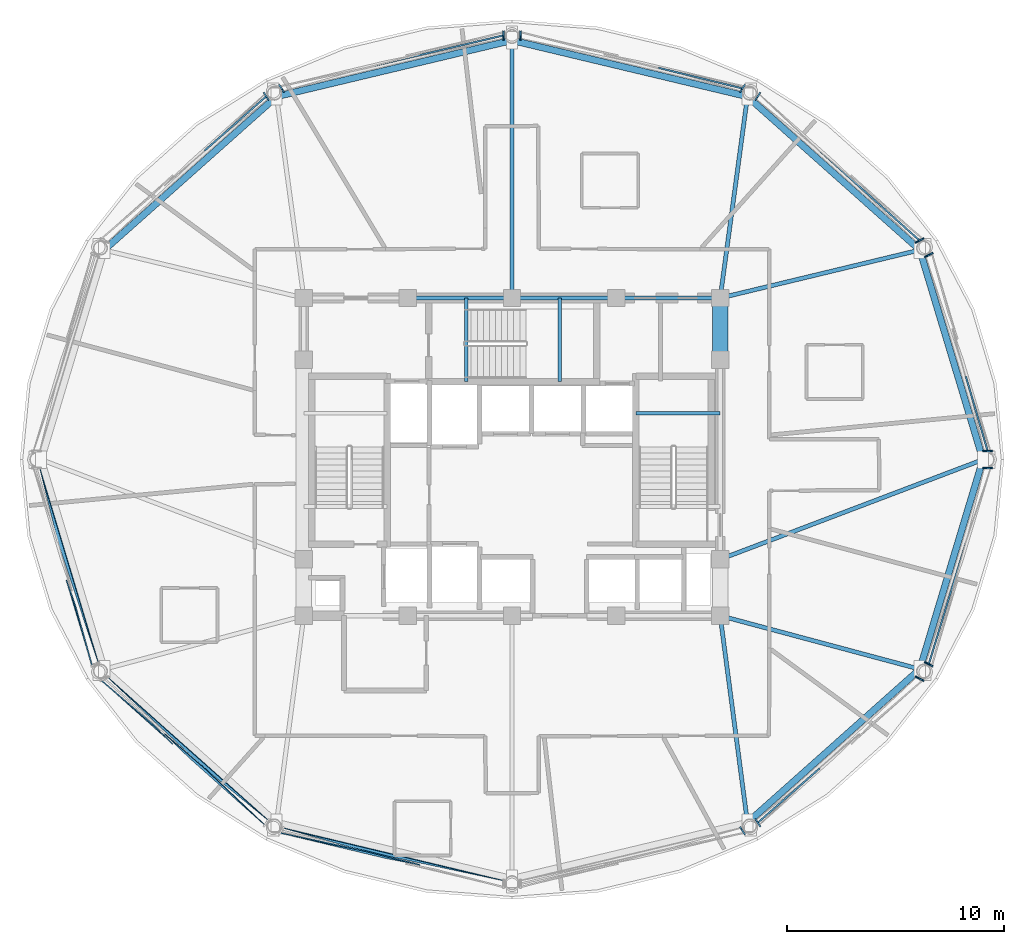
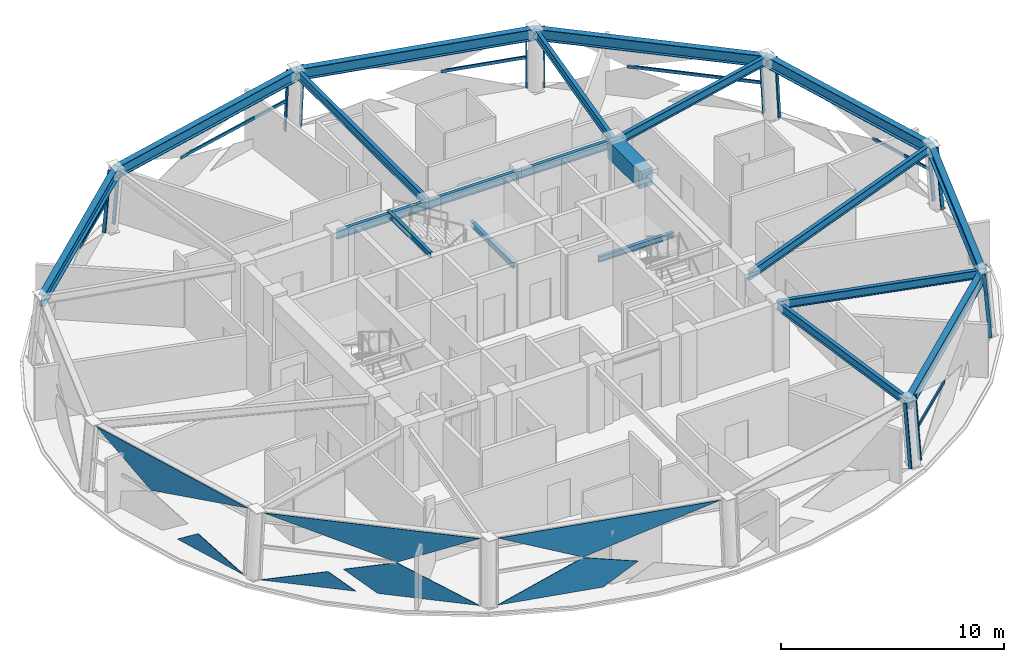
# One storey, part 2 of 11: 21 members, 20 beams, 7 plates, 11 elements without a shape of their own.
"""IFC4 building model written with IfcOpenShell, lengths in metres."""

from ifc_helpers import new_model, si_unit, direction, frame, origin, origin_2d, place, context, subcontext, project, spatial, polyline, rectangle, hollow_rectangle, i_section, outline, extrude, material, layer, layer_set, material_profile, profile_set, type_object, element, aggregate, save


model = new_model("IFC4")

# Units and contexts
model_context = context("Model", 3, precision=1e-05, world=origin(), true_north=direction((0.0, 1.0)))
body_context = subcontext(model_context, "Body", "Model", "MODEL_VIEW")
ifc_project = project(units=[si_unit("LENGTHUNIT", "METRE"), si_unit("AREAUNIT", "SQUARE_METRE"), si_unit("VOLUMEUNIT", "CUBIC_METRE"), si_unit("PLANEANGLEUNIT", "RADIAN"), si_unit("MASSUNIT", "GRAM", prefix="KILO")], contexts=[model_context])

# Site, building, storey
site_placement = place(None, origin())
site = spatial("IfcSite", under=ifc_project, at=site_placement, CompositionType="ELEMENT")
building_placement = place(site_placement, origin())
building = spatial("IfcBuilding", under=site, at=building_placement, Name="Vantalir Tower", CompositionType="ELEMENT")
storey_placement = place(building_placement, frame((0.0, 0.0, 231.14990234375)))
storey = spatial("IfcBuildingStorey", under=building, at=storey_placement, Name="L58", CompositionType="ELEMENT", Elevation=231.14990234375)

# Beams
ifc_material_1 = material(Name="Concrete C60/75", Category="concrete")
ifc_material_profile_1 = material_profile(ifc_material_1, rectangle(XDim=0.699951171875, YDim=0.949951171875, at=origin_2d()), Name="Concrete C60/75")
ifc_profile_set_1 = profile_set([ifc_material_profile_1], Name="Concrete C60/75")
beam_type_1 = type_object("IfcBeamType", Name="BM-CB-700x950", PredefinedType="USERDEFINED", material=ifc_profile_set_1)
beam_1_placement = place(storey_placement, frame((41.10009765625, 29.60009765625, 3.09521484375), z_axis=(0.0, 1.0, 0.0), x_axis=(-1.0, 0.0, 0.0)))
element("IfcBeam", 1, at=beam_1_placement, inside=storey, type_object=beam_type_1, Name="L58 Core Coupling Girder 07", ObjectType="GIRDER", PredefinedType="USERDEFINED", context=body_context, shape_type="SweptSolid", body=[
    extrude(rectangle(XDim=0.699951171875, YDim=0.949951171875, at=origin_2d()), origin(), (0.0, 0.0, 1.0), 2.849853515625),
])
ifc_material_2 = material(Name="Steel S355", Category="steel")
ifc_material_profile_2 = material_profile(ifc_material_2, i_section(OverallWidth=0.166015625, OverallDepth=0.306884765625, WebThickness=0.006591796875, FlangeThickness=0.01171875, at=origin_2d()), Name="Steel S355")
ifc_profile_set_2 = profile_set([ifc_material_profile_2], Name="Steel S355")
beam_type_2 = type_object("IfcBeamType", Name="BM-JS-305x165", PredefinedType="JOIST", material=ifc_profile_set_2)
beam_2_placement = place(storey_placement, frame((37.2099609375, 27.14501953125, 1.52099609375), z_axis=(1.0, 0.0, 0.0), x_axis=(0.0, 1.0, 0.0)))
element("IfcBeam", 2, at=beam_2_placement, inside=storey, type_object=beam_type_2, Name="L58 Stair ST2 Half-Landing Support Beam", PredefinedType="JOIST", context=body_context, shape_type="SweptSolid", body=[
    extrude(i_section(OverallWidth=0.166015625, OverallDepth=0.306884765625, WebThickness=0.006591796875, FlangeThickness=0.01171875, at=origin_2d()), origin(), (0.0, 0.0, 1.0), 3.89013671875),
])
for number, where, z_axis, x_axis, name in (
    (3, (29.385009765625, 28.60009765625, 3.59619140625), (0.0, 1.0, 0.0), (-1.0, 0.0, 0.0), "L59 Stair ST3 Well Nosing Trimmer Beam"),
    (4, (33.695068359375, 28.60009765625, 1.52099609375), (0.0, 1.0, 0.0), (-1.0, 0.0, 0.0), "L58 Stair ST3 Half-Landing Support Beam"),
):
    element("IfcBeam", number, at=place(storey_placement, frame(where, z_axis=z_axis, x_axis=x_axis)), inside=storey, type_object=beam_type_2, Name=name, PredefinedType="JOIST", context=body_context, shape_type="SweptSolid", body=[
        extrude(i_section(OverallWidth=0.166015625, OverallDepth=0.306884765625, WebThickness=0.006591796875, FlangeThickness=0.01171875, at=origin_2d()), origin(), (0.0, 0.0, 1.0), 3.849853515625),
    ])
ifc_material_profile_3 = material_profile(ifc_material_2, i_section(OverallWidth=0.19189453125, OverallDepth=0.462890625, WebThickness=0.010498046875, FlangeThickness=0.017578125, at=origin_2d()), Name="Steel S355")
ifc_profile_set_3 = profile_set([ifc_material_profile_3], Name="Steel S355")
beam_type_3 = type_object("IfcBeamType", Name="BM-RB-457x191", PredefinedType="BEAM", material=ifc_profile_set_3)
for number, where, z_axis, x_axis, name in (
    (5, (41.10009765625, 32.449951171875, 3.338134765625), (-1.0, 0.0, 0.0), (0.0, -1.0, 0.0), "L58 Core Coupling Girder 08"),
    (6, (36.300048828125, 32.449951171875, 3.338134765625), (-1.0, 0.0, 0.0), (0.0, -1.0, 0.0), "L58 Core Coupling Girder 09"),
    (7, (31.5, 32.449951171875, 3.338134765625), (-1.0, 0.0, 0.0), (0.0, -1.0, 0.0), "L58 Core Coupling Girder 10"),
):
    element("IfcBeam", number, at=place(storey_placement, frame(where, z_axis=z_axis, x_axis=x_axis)), inside=storey, type_object=beam_type_3, Name=name, PredefinedType="BEAM", context=body_context, shape_type="SweptSolid", body=[
        extrude(i_section(OverallWidth=0.19189453125, OverallDepth=0.462890625, WebThickness=0.010498046875, FlangeThickness=0.017578125, at=origin_2d()), origin(), (0.0, 0.0, 1.0), 4.800048828125),
    ])
beam_3_placement = place(storey_placement, frame((53.218017578125, 25.0, 3.338134765625), z_axis=(-0.934904236312, -0.354900083018, 0.0), x_axis=(0.354900083018, -0.934904236312, 0.0)))
element("IfcBeam", 8, at=beam_3_placement, inside=storey, type_object=beam_type_3, Name="L58 Radial Floor Beam 01", PredefinedType="BEAM", context=body_context, shape_type="SweptSolid", body=[
    extrude(i_section(OverallWidth=0.19189453125, OverallDepth=0.462890625, WebThickness=0.010498046875, FlangeThickness=0.017578125, at=origin_2d()), origin(), (0.0, 0.0, 1.0), 12.961669921875),
])
beam_4_placement = place(storey_placement, frame((50.30810546875, 34.666015625, 3.338134765625), z_axis=(-0.972239928785, -0.233986155308, 0.0), x_axis=(0.233986155308, -0.972239928785, 0.0)))
element("IfcBeam", 9, at=beam_4_placement, inside=storey, type_object=beam_type_3, Name="L58 Radial Floor Beam 02", PredefinedType="BEAM", context=body_context, shape_type="SweptSolid", body=[
    extrude(i_section(OverallWidth=0.19189453125, OverallDepth=0.462890625, WebThickness=0.010498046875, FlangeThickness=0.017578125, at=origin_2d()), origin(), (0.0, 0.0, 1.0), 9.470947265625),
])
beam_5_placement = place(storey_placement, frame((42.35888671875, 41.742919921875, 3.338134765625), z_axis=(-0.134230220125, -0.99095017433, 0.0), x_axis=(0.99095017433, -0.134230220125, 0.0)))
element("IfcBeam", 10, at=beam_5_placement, inside=storey, type_object=beam_type_3, Name="L58 Radial Floor Beam 03", PredefinedType="BEAM", context=body_context, shape_type="SweptSolid", body=[
    extrude(i_section(OverallWidth=0.19189453125, OverallDepth=0.462890625, WebThickness=0.010498046875, FlangeThickness=0.017578125, at=origin_2d()), origin(), (0.0, 0.0, 1.0), 9.3779296875),
])
beam_6_placement = place(storey_placement, frame((31.5, 44.3330078125, 3.338134765625), z_axis=(0.0, -1.0, 0.0), x_axis=(1.0, 0.0, 0.0)))
element("IfcBeam", 11, at=beam_6_placement, inside=storey, type_object=beam_type_3, Name="L58 Radial Floor Beam 04", PredefinedType="BEAM", context=body_context, shape_type="SweptSolid", body=[
    extrude(i_section(OverallWidth=0.19189453125, OverallDepth=0.462890625, WebThickness=0.010498046875, FlangeThickness=0.017578125, at=origin_2d()), origin(), (0.0, 0.0, 1.0), 11.883056640625),
])
beam_7_placement = place(storey_placement, frame((42.35888671875, 8.257080078125, 3.338134765625), z_axis=(-0.130774684438, 0.991412115071, 0.0), x_axis=(-0.991412115071, -0.130774684438, 0.0)))
element("IfcBeam", 12, at=beam_7_placement, inside=storey, type_object=beam_type_3, Name="L58 Radial Floor Beam 11", PredefinedType="BEAM", context=body_context, shape_type="SweptSolid", body=[
    extrude(i_section(OverallWidth=0.19189453125, OverallDepth=0.462890625, WebThickness=0.010498046875, FlangeThickness=0.017578125, at=origin_2d()), origin(), (0.0, 0.0, 1.0), 9.625732421875),
])
beam_8_placement = place(storey_placement, frame((50.30810546875, 15.3330078125, 3.338134765625), z_axis=(-0.965932047749, 0.25879582518, 0.0), x_axis=(-0.25879582518, -0.965932047749, 0.0)))
element("IfcBeam", 13, at=beam_8_placement, inside=storey, type_object=beam_type_3, Name="L58 Radial Floor Beam 12", PredefinedType="BEAM", context=body_context, shape_type="SweptSolid", body=[
    extrude(i_section(OverallWidth=0.19189453125, OverallDepth=0.462890625, WebThickness=0.010498046875, FlangeThickness=0.017578125, at=origin_2d()), origin(), (0.0, 0.0, 1.0), 9.53271484375),
])
ifc_material_3 = material(Name="Steel S460", Category="steel")
ifc_material_profile_4 = material_profile(ifc_material_3, i_section(OverallWidth=0.306884765625, OverallDepth=0.6201171875, WebThickness=0.01416015625, FlangeThickness=0.023681640625, at=origin_2d()), Name="Steel S460")
ifc_profile_set_4 = profile_set([ifc_material_profile_4], Name="Steel S460")
beam_type_4 = type_object("IfcBeamType", Name="BM-RG-610x305", PredefinedType="USERDEFINED", material=ifc_profile_set_4)
beam_9_placement = place(storey_placement, frame((53.218017578125, 25.0, 3.260009765625), z_axis=(-0.288266356679, 0.95755026375, 0.0), x_axis=(-0.95755026375, -0.288266356679, 0.0)))
element("IfcBeam", 14, at=beam_9_placement, inside=storey, type_object=beam_type_4, Name="L58 Circumferential Ring Girder 01", ObjectType="GIRDER", PredefinedType="USERDEFINED", context=body_context, shape_type="SweptSolid", body=[
    extrude(i_section(OverallWidth=0.306884765625, OverallDepth=0.6201171875, WebThickness=0.01416015625, FlangeThickness=0.023681640625, at=origin_2d()), origin(), (0.0, 0.0, 1.0), 10.094482421875),
])
beam_10_placement = place(storey_placement, frame((50.30810546875, 34.666015625, 3.260009765625), z_axis=(-0.746899058065, 0.664937438456, 0.0), x_axis=(-0.664937438456, -0.746899058065, 0.0)))
element("IfcBeam", 15, at=beam_10_placement, inside=storey, type_object=beam_type_4, Name="L58 Circumferential Ring Girder 02", ObjectType="GIRDER", PredefinedType="USERDEFINED", context=body_context, shape_type="SweptSolid", body=[
    extrude(i_section(OverallWidth=0.306884765625, OverallDepth=0.6201171875, WebThickness=0.01416015625, FlangeThickness=0.023681640625, at=origin_2d()), origin(), (0.0, 0.0, 1.0), 10.64306640625),
])
for number, where, z_axis, x_axis, name in (
    (16, (42.35888671875, 41.742919921875, 3.260009765625), (-0.97271250926, 0.23201373737, 0.0), (-0.23201373737, -0.97271250926, 0.0), "L58 Circumferential Ring Girder 03"),
    (17, (31.5, 44.3330078125, 3.260009765625), (-0.97271250926, -0.23201373737, 0.0), (0.23201373737, -0.97271250926, 0.0), "L58 Circumferential Ring Girder 04"),
):
    element("IfcBeam", number, at=place(storey_placement, frame(where, z_axis=z_axis, x_axis=x_axis)), inside=storey, type_object=beam_type_4, Name=name, ObjectType="GIRDER", PredefinedType="USERDEFINED", context=body_context, shape_type="SweptSolid", body=[
        extrude(i_section(OverallWidth=0.306884765625, OverallDepth=0.6201171875, WebThickness=0.01416015625, FlangeThickness=0.023681640625, at=origin_2d()), origin(), (0.0, 0.0, 1.0), 11.16357421875),
    ])
beam_11_placement = place(storey_placement, frame((20.64111328125, 41.742919921875, 3.260009765625), z_axis=(-0.746899058065, -0.664937438456, 0.0), x_axis=(0.664937438456, -0.746899058065, 0.0)))
element("IfcBeam", 18, at=beam_11_placement, inside=storey, type_object=beam_type_4, Name="L58 Circumferential Ring Girder 05", ObjectType="GIRDER", PredefinedType="USERDEFINED", context=body_context, shape_type="SweptSolid", body=[
    extrude(i_section(OverallWidth=0.306884765625, OverallDepth=0.6201171875, WebThickness=0.01416015625, FlangeThickness=0.023681640625, at=origin_2d()), origin(), (0.0, 0.0, 1.0), 10.64306640625),
])
beam_12_placement = place(storey_placement, frame((42.35888671875, 8.257080078125, 3.260009765625), z_axis=(0.746944629215, 0.664886246577, 0.0), x_axis=(-0.664886246577, 0.746944629215, 0.0)))
element("IfcBeam", 19, at=beam_12_placement, inside=storey, type_object=beam_type_4, Name="L58 Circumferential Ring Girder 11", ObjectType="GIRDER", PredefinedType="USERDEFINED", context=body_context, shape_type="SweptSolid", body=[
    extrude(i_section(OverallWidth=0.306884765625, OverallDepth=0.6201171875, WebThickness=0.01416015625, FlangeThickness=0.023681640625, at=origin_2d()), origin(), (0.0, 0.0, 1.0), 10.642333984375),
])
beam_13_placement = place(storey_placement, frame((50.30810546875, 15.3330078125, 3.260009765625), z_axis=(0.288239655449, 0.957558301633, 0.0), x_axis=(-0.957558301633, 0.288239655449, 0.0)))
element("IfcBeam", 20, at=beam_13_placement, inside=storey, type_object=beam_type_4, Name="L58 Circumferential Ring Girder 12", ObjectType="GIRDER", PredefinedType="USERDEFINED", context=body_context, shape_type="SweptSolid", body=[
    extrude(i_section(OverallWidth=0.306884765625, OverallDepth=0.6201171875, WebThickness=0.01416015625, FlangeThickness=0.023681640625, at=origin_2d()), origin(), (0.0, 0.0, 1.0), 10.095458984375),
])

# Curtain wall, members
ifc_material_4 = material(Name="Champagne-silver PVDF aluminium and double-silver Low-E glass", Category="aluminium")
ifc_layer_1 = layer(ifc_material_4, 0.2099609375)
ifc_layer_set_1 = layer_set([ifc_layer_1], Name="Champagne-silver PVDF aluminium and double-silver Low-E glass")
curtain_wall_type = type_object("IfcCurtainWallType", Name="CW-DIAMOND-Z3", PredefinedType="USERDEFINED", material=ifc_layer_set_1)
curtain_wall_1_placement = place(storey_placement, origin())
curtain_wall_1 = element("IfcCurtainWall", 21, at=curtain_wall_1_placement, inside=storey, type_object=curtain_wall_type, Name="L58 Quilted Pyramid-Diamond Curtain Wall S01", ObjectType="UNITISED CURTAIN WALL", PredefinedType="USERDEFINED")
ifc_material_5 = material(Name="Champagne-silver PVDF aluminium 6063-T6", Category="aluminium")
ifc_material_profile_5 = material_profile(ifc_material_5, hollow_rectangle(XDim=0.070068359375, YDim=0.1650390625, WallThickness=0.00390625, at=origin_2d()), Name="Champagne-silver PVDF aluminium 6063-T6")
ifc_profile_set_5 = profile_set([ifc_material_profile_5], Name="Champagne-silver PVDF aluminium 6063-T6")
member_type_1 = type_object("IfcMemberType", Name="CWM-165x70", PredefinedType="MULLION", material=ifc_profile_set_5)
member_1_placement = place(storey_placement, frame((53.5849609375, 25.39306640625, 0.045166015625), z_axis=(-0.084445429455, 0.0, 0.996428105507), x_axis=(0.0, -1.0, 0.0)))
member_1 = element("IfcMember", 22, at=member_1_placement, type_object=member_type_1, Name="CW-L58-S01 Mullion 1", PredefinedType="MULLION", context=body_context, shape_type="SweptSolid", body=[
    extrude(hollow_rectangle(XDim=0.070068359375, YDim=0.1650390625, WallThickness=0.00390625, at=origin_2d()), origin(), (0.0, 0.0, 1.0), 3.492431640625),
])
member_2_placement = place(storey_placement, frame((50.845947265625, 34.5, 0.045166015625), z_axis=(-0.072994655208, -0.037825774394, 0.996614765645), x_axis=(0.460093734226, -0.887870348489, 0.0)))
member_2 = element("IfcMember", 23, at=member_2_placement, type_object=member_type_1, Name="CW-L58-S01 Mullion 2", PredefinedType="MULLION", context=body_context, shape_type="SweptSolid", body=[
    extrude(hollow_rectangle(XDim=0.070068359375, YDim=0.1650390625, WallThickness=0.00390625, at=origin_2d()), origin(), (0.0, 0.0, 1.0), 3.49169921875),
])

curtain_wall_2_placement = place(storey_placement, origin())
curtain_wall_2 = element("IfcCurtainWall", 24, at=curtain_wall_2_placement, inside=storey, type_object=curtain_wall_type, Name="L58 Quilted Pyramid-Diamond Curtain Wall S02", ObjectType="UNITISED CURTAIN WALL", PredefinedType="USERDEFINED")
member_3_placement = place(storey_placement, frame((50.422119140625, 35.166015625, 0.045166015625), z_axis=(-0.073064200388, -0.037825581253, 0.996609676867), x_axis=(0.459746549126, -0.888050173451, 0.0)))
member_3 = element("IfcMember", 25, at=member_3_placement, type_object=member_type_1, Name="CW-L58-S02 Mullion 1", PredefinedType="MULLION", context=body_context, shape_type="SweptSolid", body=[
    extrude(hollow_rectangle(XDim=0.070068359375, YDim=0.1650390625, WallThickness=0.00390625, at=origin_2d()), origin(), (0.0, 0.0, 1.0), 3.49169921875),
])
member_4_placement = place(storey_placement, frame((42.907958984375, 41.862060546875, 0.045166015625), z_axis=(-0.042385280982, -0.065326489171, 0.996963358288), x_axis=(0.838894783542, -0.544293617587, 0.0)))
member_4 = element("IfcMember", 26, at=member_4_placement, type_object=member_type_1, Name="CW-L58-S02 Mullion 2", PredefinedType="MULLION", context=body_context, shape_type="SweptSolid", body=[
    extrude(hollow_rectangle(XDim=0.070068359375, YDim=0.1650390625, WallThickness=0.00390625, at=origin_2d()), origin(), (0.0, 0.0, 1.0), 3.490478515625),
])

curtain_wall_3_placement = place(storey_placement, origin())
curtain_wall_3 = element("IfcCurtainWall", 27, at=curtain_wall_3_placement, inside=storey, type_object=curtain_wall_type, Name="L58 Quilted Pyramid-Diamond Curtain Wall S03", ObjectType="UNITISED CURTAIN WALL", PredefinedType="USERDEFINED")
member_5_placement = place(storey_placement, frame((42.202880859375, 42.22998046875, 0.045166015625), z_axis=(-0.042385280982, -0.065326489171, 0.996963358288), x_axis=(0.838894783542, -0.544293617587, 0.0)))
member_5 = element("IfcMember", 28, at=member_5_placement, type_object=member_type_1, Name="CW-L58-S03 Mullion 1", PredefinedType="MULLION", context=body_context, shape_type="SweptSolid", body=[
    extrude(hollow_rectangle(XDim=0.070068359375, YDim=0.1650390625, WallThickness=0.00390625, at=origin_2d()), origin(), (0.0, 0.0, 1.0), 3.490478515625),
])
member_6_placement = place(storey_placement, frame((31.89892578125, 44.69091796875, 0.045166015625), z_axis=(0.0, -0.075342978786, 0.997157678378), x_axis=(1.0, 0.0, 0.0)))
member_6 = element("IfcMember", 29, at=member_6_placement, type_object=member_type_1, Name="CW-L58-S03 Mullion 2", PredefinedType="MULLION", context=body_context, shape_type="SweptSolid", body=[
    extrude(hollow_rectangle(XDim=0.070068359375, YDim=0.1650390625, WallThickness=0.00390625, at=origin_2d()), origin(), (0.0, 0.0, 1.0), 3.489990234375),
])

curtain_wall_4_placement = place(storey_placement, origin())
curtain_wall_4 = element("IfcCurtainWall", 30, at=curtain_wall_4_placement, inside=storey, type_object=curtain_wall_type, Name="L58 Quilted Pyramid-Diamond Curtain Wall S04", ObjectType="UNITISED CURTAIN WALL", PredefinedType="USERDEFINED")
member_7_placement = place(storey_placement, frame((31.10107421875, 44.69091796875, 0.045166015625), z_axis=(0.0, -0.075342978786, 0.997157678378), x_axis=(1.0, 0.0, 0.0)))
member_7 = element("IfcMember", 31, at=member_7_placement, type_object=member_type_1, Name="CW-L58-S04 Mullion 1", PredefinedType="MULLION", context=body_context, shape_type="SweptSolid", body=[
    extrude(hollow_rectangle(XDim=0.070068359375, YDim=0.1650390625, WallThickness=0.00390625, at=origin_2d()), origin(), (0.0, 0.0, 1.0), 3.489990234375),
])
member_8_placement = place(storey_placement, frame((20.798095703125, 42.22998046875, 0.045166015625), z_axis=(0.042106007806, -0.06532726128, 0.996975141636), x_axis=(0.840534608951, 0.541757852879, 0.0)))
member_8 = element("IfcMember", 32, at=member_8_placement, type_object=member_type_1, Name="CW-L58-S04 Mullion 2", PredefinedType="MULLION", context=body_context, shape_type="SweptSolid", body=[
    extrude(hollow_rectangle(XDim=0.070068359375, YDim=0.1650390625, WallThickness=0.00390625, at=origin_2d()), origin(), (0.0, 0.0, 1.0), 3.490478515625),
])

# Curtain wall, member
curtain_wall_5_placement = place(storey_placement, origin())
curtain_wall_5 = element("IfcCurtainWall", 33, at=curtain_wall_5_placement, inside=storey, type_object=curtain_wall_type, Name="L58 Quilted Pyramid-Diamond Curtain Wall S05", ObjectType="UNITISED CURTAIN WALL", PredefinedType="USERDEFINED")
member_9_placement = place(storey_placement, frame((20.093017578125, 41.862060546875, 0.045166015625), z_axis=(0.042106007806, -0.06532726128, 0.996975141636), x_axis=(0.840534608951, 0.541757852879, 0.0)))
member_9 = element("IfcMember", 34, at=member_9_placement, type_object=member_type_1, Name="CW-L58-S05 Mullion 1", PredefinedType="MULLION", context=body_context, shape_type="SweptSolid", body=[
    extrude(hollow_rectangle(XDim=0.070068359375, YDim=0.1650390625, WallThickness=0.00390625, at=origin_2d()), origin(), (0.0, 0.0, 1.0), 3.490478515625),
])

curtain_wall_6_placement = place(storey_placement, origin())
curtain_wall_6 = element("IfcCurtainWall", 35, at=curtain_wall_6_placement, inside=storey, type_object=curtain_wall_type, Name="L58 Quilted Pyramid-Diamond Curtain Wall S10", ObjectType="UNITISED CURTAIN WALL", PredefinedType="USERDEFINED")
member_10_placement = place(storey_placement, frame((42.202880859375, 7.77001953125, 0.045166015625), z_axis=(-0.042385280982, 0.065326489171, 0.996963358288), x_axis=(-0.838894783542, -0.544293617587, 0.0)))
member_10 = element("IfcMember", 36, at=member_10_placement, type_object=member_type_1, Name="CW-L58-S10 Mullion 2", PredefinedType="MULLION", context=body_context, shape_type="SweptSolid", body=[
    extrude(hollow_rectangle(XDim=0.070068359375, YDim=0.1650390625, WallThickness=0.00390625, at=origin_2d()), origin(), (0.0, 0.0, 1.0), 3.490478515625),
])
aggregate(curtain_wall_6, [member_10])

# Curtain wall, members
curtain_wall_7_placement = place(storey_placement, origin())
curtain_wall_7 = element("IfcCurtainWall", 37, at=curtain_wall_7_placement, inside=storey, type_object=curtain_wall_type, Name="L58 Quilted Pyramid-Diamond Curtain Wall S11", ObjectType="UNITISED CURTAIN WALL", PredefinedType="USERDEFINED")
member_11_placement = place(storey_placement, frame((42.907958984375, 8.137939453125, 0.045166015625), z_axis=(-0.042385280982, 0.065326489171, 0.996963358288), x_axis=(-0.838894783542, -0.544293617587, 0.0)))
member_11 = element("IfcMember", 38, at=member_11_placement, type_object=member_type_1, Name="CW-L58-S11 Mullion 1", PredefinedType="MULLION", context=body_context, shape_type="SweptSolid", body=[
    extrude(hollow_rectangle(XDim=0.070068359375, YDim=0.1650390625, WallThickness=0.00390625, at=origin_2d()), origin(), (0.0, 0.0, 1.0), 3.490478515625),
])
member_12_placement = place(storey_placement, frame((50.422119140625, 14.833984375, 0.045166015625), z_axis=(-0.07306497047, 0.037546305399, 0.996620180932), x_axis=(-0.457059514772, -0.889436113477, 0.0)))
member_12 = element("IfcMember", 39, at=member_12_placement, type_object=member_type_1, Name="CW-L58-S11 Mullion 2", PredefinedType="MULLION", context=body_context, shape_type="SweptSolid", body=[
    extrude(hollow_rectangle(XDim=0.070068359375, YDim=0.1650390625, WallThickness=0.00390625, at=origin_2d()), origin(), (0.0, 0.0, 1.0), 3.49169921875),
])

curtain_wall_8_placement = place(storey_placement, origin())
curtain_wall_8 = element("IfcCurtainWall", 40, at=curtain_wall_8_placement, inside=storey, type_object=curtain_wall_type, Name="L58 Quilted Pyramid-Diamond Curtain Wall S12", ObjectType="UNITISED CURTAIN WALL", PredefinedType="USERDEFINED")
member_13_placement = place(storey_placement, frame((50.845947265625, 15.5, 0.045166015625), z_axis=(-0.072995424565, 0.037546497118, 0.996625269872), x_axis=(-0.457405750119, -0.889258106377, 0.0)))
member_13 = element("IfcMember", 41, at=member_13_placement, type_object=member_type_1, Name="CW-L58-S12 Mullion 1", PredefinedType="MULLION", context=body_context, shape_type="SweptSolid", body=[
    extrude(hollow_rectangle(XDim=0.070068359375, YDim=0.1650390625, WallThickness=0.00390625, at=origin_2d()), origin(), (0.0, 0.0, 1.0), 3.49169921875),
])
member_14_placement = place(storey_placement, frame((53.5849609375, 24.60693359375, 0.045166015625), z_axis=(-0.084445429455, 0.0, 0.996428105507), x_axis=(0.0, -1.0, 0.0)))
member_14 = element("IfcMember", 42, at=member_14_placement, type_object=member_type_1, Name="CW-L58-S12 Mullion 2", PredefinedType="MULLION", context=body_context, shape_type="SweptSolid", body=[
    extrude(hollow_rectangle(XDim=0.070068359375, YDim=0.1650390625, WallThickness=0.00390625, at=origin_2d()), origin(), (0.0, 0.0, 1.0), 3.492431640625),
])

# Member
ifc_material_profile_6 = material_profile(ifc_material_5, hollow_rectangle(XDim=0.074951171875, YDim=0.159912109375, WallThickness=0.00390625, at=origin_2d()), Name="Champagne-silver PVDF aluminium 6063-T6")
ifc_profile_set_6 = profile_set([ifc_material_profile_6], Name="Champagne-silver PVDF aluminium 6063-T6")
member_type_2 = type_object("IfcMemberType", Name="CWT-160x75", PredefinedType="USERDEFINED", material=ifc_profile_set_6)
member_15_placement = place(storey_placement, frame((53.43701171875, 25.39306640625, 1.78515625), z_axis=(-0.281469387461, 0.959570207917, 0.0), x_axis=(-0.959570207917, -0.281469387461, 0.0)))
member_15 = element("IfcMember", 43, at=member_15_placement, type_object=member_type_2, Name="CW-L58-S01 Pyramid Fold Ridge Transom", ObjectType="TRANSOM", PredefinedType="USERDEFINED", context=body_context, shape_type="SweptSolid", body=[
    extrude(hollow_rectangle(XDim=0.074951171875, YDim=0.159912109375, WallThickness=0.00390625, at=origin_2d()), origin(), (0.0, 0.0, 1.0), 3.5849609375),
])

aggregate(curtain_wall_1, [member_1, member_2, member_15])

member_16_placement = place(storey_placement, frame((50.2939453125, 35.10009765625, 1.78515625), z_axis=(-0.74395232944, 0.668232692646, 0.0), x_axis=(-0.668232692646, -0.74395232944, 0.0)))
member_16 = element("IfcMember", 44, at=member_16_placement, type_object=member_type_2, Name="CW-L58-S02 Pyramid Fold Ridge Transom", ObjectType="TRANSOM", PredefinedType="USERDEFINED", context=body_context, shape_type="SweptSolid", body=[
    extrude(hollow_rectangle(XDim=0.074951171875, YDim=0.159912109375, WallThickness=0.00390625, at=origin_2d()), origin(), (0.0, 0.0, 1.0), 6.19384765625),
])

aggregate(curtain_wall_2, [member_3, member_4, member_16])

member_17_placement = place(storey_placement, frame((42.12890625, 42.115966796875, 1.78515625), z_axis=(-0.971239924094, 0.238102939599, 0.0), x_axis=(-0.238102939599, -0.971239924094, 0.0)))
member_17 = element("IfcMember", 45, at=member_17_placement, type_object=member_type_2, Name="CW-L58-S03 Pyramid Fold Ridge Transom", ObjectType="TRANSOM", PredefinedType="USERDEFINED", context=body_context, shape_type="SweptSolid", body=[
    extrude(hollow_rectangle(XDim=0.074951171875, YDim=0.159912109375, WallThickness=0.00390625, at=origin_2d()), origin(), (0.0, 0.0, 1.0), 3.99365234375),
])

aggregate(curtain_wall_3, [member_5, member_6, member_17])

member_18_placement = place(storey_placement, frame((31.10107421875, 44.55908203125, 1.78515625), z_axis=(-0.973491714992, -0.228722278851, 0.0), x_axis=(0.228722278851, -0.973491714992, 0.0)))
member_18 = element("IfcMember", 46, at=member_18_placement, type_object=member_type_2, Name="CW-L58-S04 Pyramid Fold Ridge Transom", ObjectType="TRANSOM", PredefinedType="USERDEFINED", context=body_context, shape_type="SweptSolid", body=[
    extrude(hollow_rectangle(XDim=0.074951171875, YDim=0.159912109375, WallThickness=0.00390625, at=origin_2d()), origin(), (0.0, 0.0, 1.0), 6.52392578125),
])

aggregate(curtain_wall_4, [member_7, member_8, member_18])

member_19_placement = place(storey_placement, frame((20.166015625, 41.748046875, 1.78515625), z_axis=(-0.750814232326, -0.660513427976, 0.0), x_axis=(0.660513427976, -0.750814232326, 0.0)))
member_19 = element("IfcMember", 47, at=member_19_placement, type_object=member_type_2, Name="CW-L58-S05 Pyramid Fold Ridge Transom", ObjectType="TRANSOM", PredefinedType="USERDEFINED", context=body_context, shape_type="SweptSolid", body=[
    extrude(hollow_rectangle(XDim=0.074951171875, YDim=0.159912109375, WallThickness=0.00390625, at=origin_2d()), origin(), (0.0, 0.0, 1.0), 3.798583984375),
])

aggregate(curtain_wall_5, [member_9, member_19])

member_20_placement = place(storey_placement, frame((42.833984375, 8.251953125, 1.78515625), z_axis=(0.750814232326, 0.660513427976, 0.0), x_axis=(-0.660513427976, 0.750814232326, 0.0)))
member_20 = element("IfcMember", 48, at=member_20_placement, type_object=member_type_2, Name="CW-L58-S11 Pyramid Fold Ridge Transom", ObjectType="TRANSOM", PredefinedType="USERDEFINED", context=body_context, shape_type="SweptSolid", body=[
    extrude(hollow_rectangle(XDim=0.074951171875, YDim=0.159912109375, WallThickness=0.00390625, at=origin_2d()), origin(), (0.0, 0.0, 1.0), 3.798583984375),
])

aggregate(curtain_wall_7, [member_11, member_12, member_20])

member_21_placement = place(storey_placement, frame((50.718994140625, 15.56494140625, 1.78515625), z_axis=(0.291788545246, 0.956482851317, 0.0), x_axis=(-0.956482851317, 0.291788545246, 0.0)))
member_21 = element("IfcMember", 49, at=member_21_placement, type_object=member_type_2, Name="CW-L58-S12 Pyramid Fold Ridge Transom", ObjectType="TRANSOM", PredefinedType="USERDEFINED", context=body_context, shape_type="SweptSolid", body=[
    extrude(hollow_rectangle(XDim=0.074951171875, YDim=0.159912109375, WallThickness=0.00390625, at=origin_2d()), origin(), (0.0, 0.0, 1.0), 5.85693359375),
])

aggregate(curtain_wall_8, [member_13, member_14, member_21])

# Curtain wall, plates
curtain_wall_9_placement = place(storey_placement, origin())
curtain_wall_9 = element("IfcCurtainWall", 50, at=curtain_wall_9_placement, inside=storey, type_object=curtain_wall_type, Name="L58 Quilted Pyramid-Diamond Curtain Wall S07", ObjectType="UNITISED CURTAIN WALL", PredefinedType="USERDEFINED")
ifc_material_6 = material(Name="Double-silver Low-E acoustic glass IGU", Category="glass")
ifc_layer_2 = layer(ifc_material_6, 0.031982421875)
ifc_layer_set_2 = layer_set([ifc_layer_2], Name="Double-silver Low-E acoustic glass IGU")
plate_type = type_object("IfcPlateType", Name="CWP-IGU-32", PredefinedType="CURTAIN_PANEL", material=ifc_layer_set_2)
plate_1_placement = place(storey_placement, frame((10.933837890625, 19.432861328125, 0.04931640625), z_axis=(-0.955483393944, -0.287286202516, 0.067216975099), x_axis=(0.287937407034, -0.957649230998, 0.0)))
plate_1 = element("IfcPlate", 51, at=plate_1_placement, type_object=plate_type, Name="CW-L58-S07 Pyramid Diamond Facet 1L Infill Light", PredefinedType="CURTAIN_PANEL", context=body_context, shape_type="SweptSolid", body=[
    extrude(outline(polyline([(0.0, 0.0), (4.102962850662825, 0.0), (1.2207494787218607, 0.8505564465497586), (0.0, 0.0)])), origin(), (0.0, 0.0, -1.0), 0.031982421875),
])
plate_2_placement = place(storey_placement, frame((12.404541015625, 15.644775390625, 3.5234375), z_axis=(-0.953378762266, -0.286645738394, 0.094356538305), x_axis=(-0.287932719952, 0.957650639899, -2.6128196e-05)))
plate_2 = element("IfcPlate", 52, at=plate_2_placement, type_object=plate_type, Name="CW-L58-S07 Pyramid Diamond Facet 2U", PredefinedType="CURTAIN_PANEL", context=body_context, shape_type="SweptSolid", body=[
    extrude(outline(polyline([(0.0, 0.0), (9.34395260096822, -6.188083899461017e-17), (5.80773958969959, 1.7334120039867762), (0.0, 0.0)])), origin(), (0.0, 0.0, -1.0), 0.031982421875),
])
aggregate(curtain_wall_9, [plate_1, plate_2])

curtain_wall_10_placement = place(storey_placement, origin())
curtain_wall_10 = element("IfcCurtainWall", 53, at=curtain_wall_10_placement, inside=storey, type_object=curtain_wall_type, Name="L58 Quilted Pyramid-Diamond Curtain Wall S08", ObjectType="UNITISED CURTAIN WALL", PredefinedType="USERDEFINED")
plate_3_placement = place(storey_placement, frame((16.600341796875, 11.249755859375, 0.046875), z_axis=(-0.664018670854, -0.745044562253, 0.063149069783), x_axis=(0.74653452652, -0.665346677088, -9.45877e-07)))
plate_3 = element("IfcPlate", 54, at=plate_3_placement, type_object=plate_type, Name="CW-L58-S08 Pyramid Diamond Facet 1L", PredefinedType="CURTAIN_PANEL", context=body_context, shape_type="SweptSolid", body=[
    extrude(outline(polyline([(0.0, 0.0), (4.662229269813276, 2.7755575615628914e-17), (0.8494293298792549, 1.7292823463668066), (-1.5847864526653286, 1.0526321429674044), (0.0, 0.0)])), origin(), (0.0, 0.0, -1.0), 0.031982421875),
])
plate_4_placement = place(storey_placement, frame((12.5654296875, 14.797607421875, 0.049072265625), z_axis=(-0.664034231021, -0.74502893994, 0.063169760828), x_axis=(0.746519892271, -0.665363096695, 0.0)))
plate_4 = element("IfcPlate", 55, at=plate_4_placement, type_object=plate_type, Name="CW-L58-S08 Pyramid Diamond Facet 1L Infill Light", PredefinedType="CURTAIN_PANEL", context=body_context, shape_type="SweptSolid", body=[
    extrude(outline(polyline([(0.0, 0.0), (4.380024463485089, 0.0), (3.087981277981801, 0.858159231337479), (0.0, 0.0)])), origin(), (0.0, 0.0, -1.0), 0.031982421875),
])
plate_5_placement = place(storey_placement, frame((20.228759765625, 8.37548828125, 3.523193359375), z_axis=(-0.662523876529, -0.743551267561, 0.090518647457), x_axis=(-0.746614813363, 0.665256581973, 2.4683929e-05)))
plate_5 = element("IfcPlate", 56, at=plate_5_placement, type_object=plate_type, Name="CW-L58-S08 Pyramid Diamond Facet 2U", PredefinedType="CURTAIN_PANEL", context=body_context, shape_type="SweptSolid", body=[
    extrude(outline(polyline([(0.0, 0.0), (9.89067100224938, 1.2197274440461925e-16), (3.7713877015432558, 1.7330377057577058), (0.0, 0.0)])), origin(), (0.0, 0.0, -1.0), 0.031982421875),
])
aggregate(curtain_wall_10, [plate_3, plate_4, plate_5])

curtain_wall_11_placement = place(storey_placement, origin())
curtain_wall_11 = element("IfcCurtainWall", 57, at=curtain_wall_11_placement, inside=storey, type_object=curtain_wall_type, Name="L58 Quilted Pyramid-Diamond Curtain Wall S09", ObjectType="UNITISED CURTAIN WALL", PredefinedType="USERDEFINED")
plate_6_placement = place(storey_placement, frame((20.811279296875, 7.766357421875, 0.046875), z_axis=(-0.23183174634, -0.970920470291, 0.059728399943), x_axis=(0.972656314672, -0.232249200615, -4.8403548e-05)))
plate_6 = element("IfcPlate", 58, at=plate_6_placement, type_object=plate_type, Name="CW-L58-S09 Pyramid Diamond Facet 1L", PredefinedType="CURTAIN_PANEL", context=body_context, shape_type="SweptSolid", body=[
    extrude(outline(polyline([(0.0, 0.0), (4.9409938587907805, 3.0086610286472748e-18), (6.6032101251574815, 1.0490675566256669), (4.033214340410003, 1.7293619112932064), (0.0, 0.0)])), origin(), (0.0, 0.0, -1.0), 0.031982421875),
])
plate_7_placement = place(storey_placement, frame((31.086669921875, 5.57568359375, 3.523681640625), z_axis=(-0.231395578109, -0.968966027051, 0.086953578725), x_axis=(-0.972651020678, 0.232271370976, -4.6895088e-05)))
plate_7 = element("IfcPlate", 59, at=plate_7_placement, type_object=plate_type, Name="CW-L58-S09 Pyramid Diamond Facet 2U", PredefinedType="CURTAIN_PANEL", context=body_context, shape_type="SweptSolid", body=[
    extrude(outline(polyline([(0.0, 0.0), (10.412204573837768, 8.782037597132586e-18), (6.469907449410351, 1.732822394681669), (0.0, 0.0)])), origin(), (0.0, 0.0, -1.0), 0.031982421875),
])
aggregate(curtain_wall_11, [plate_6, plate_7])

save(model, "model.ifc")
